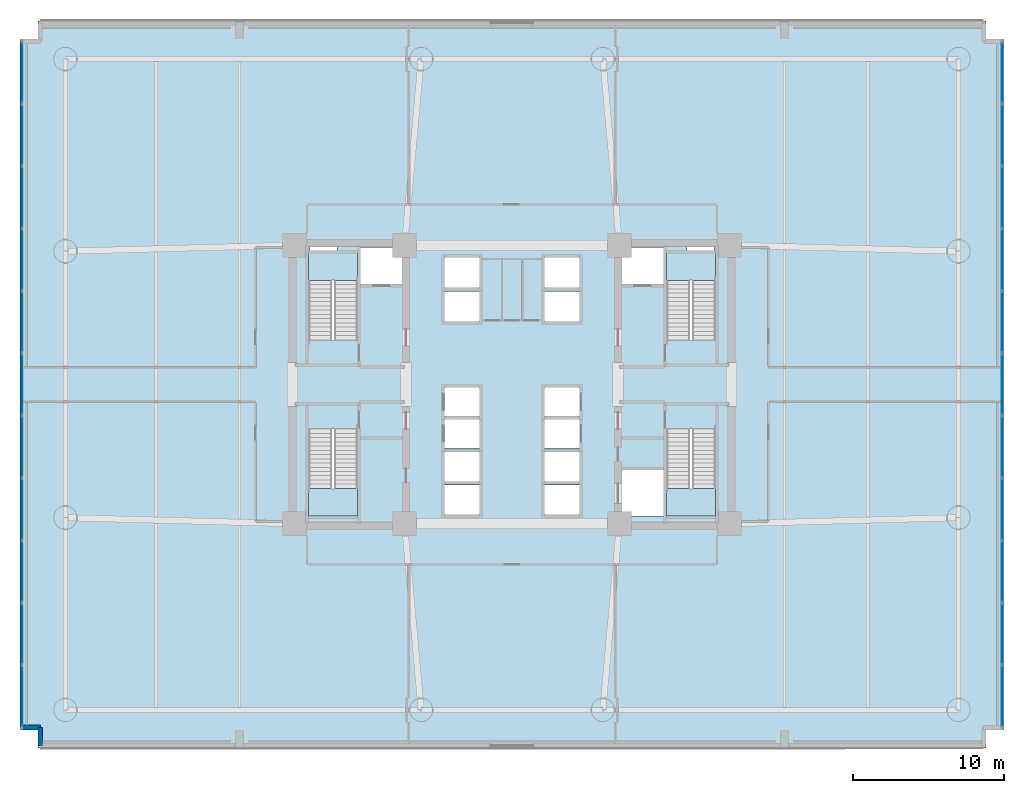
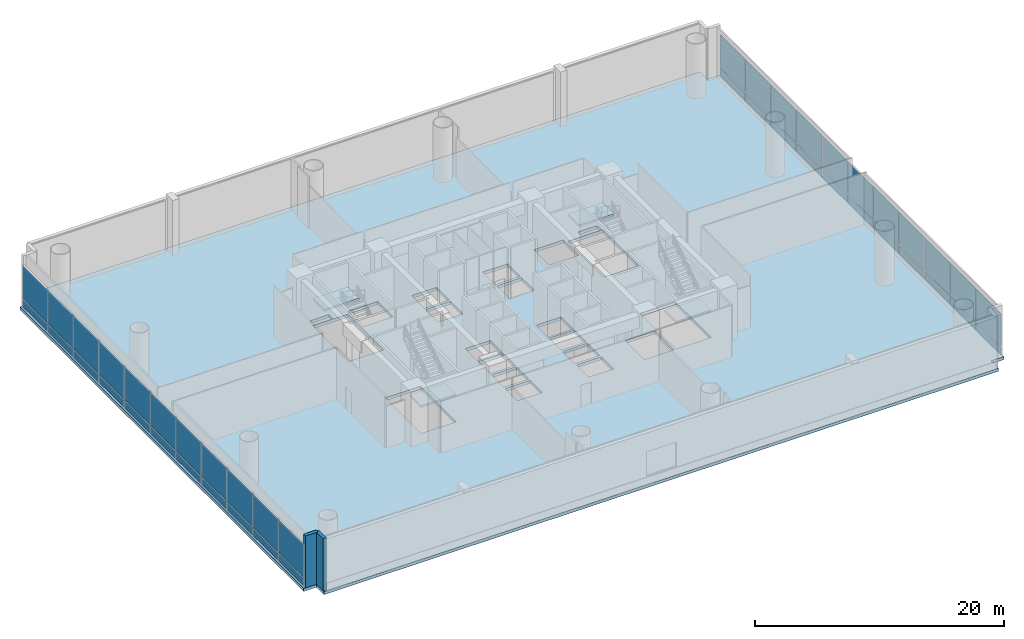
# One storey, part 6 of 15: 44 plates, 5 slabs, 2 walls, 6 elements without a shape of their own.
"""IFC4 building model written with IfcOpenShell, lengths in metres."""

from ifc_helpers import new_model, si_unit, direction, frame, frame_2d, origin, origin_2d, place, context, subcontext, project, spatial, polyline, rectangle, outline, extrude, source, transform, mapped, material, layer, layer_set, type_object, element, aggregate, save


model = new_model("IFC4")

# Units and contexts
model_context = context("Model", 3, precision=1e-05, world=origin(), true_north=direction((0.0, 1.0)))
body_context = subcontext(model_context, "Body", "Model", "MODEL_VIEW")
ifc_project = project(units=[si_unit("LENGTHUNIT", "METRE"), si_unit("AREAUNIT", "SQUARE_METRE"), si_unit("VOLUMEUNIT", "CUBIC_METRE"), si_unit("PLANEANGLEUNIT", "RADIAN"), si_unit("MASSUNIT", "GRAM", prefix="KILO")], contexts=[model_context])

# Site, building, storey
site_placement = place(None, origin())
site = spatial("IfcSite", under=ifc_project, at=site_placement, CompositionType="ELEMENT")
building_placement = place(site_placement, origin())
building = spatial("IfcBuilding", under=site, at=building_placement, Name="Zahravan Cultural Tower", CompositionType="ELEMENT")
storey_placement = place(building_placement, frame((0.0, 0.0, 7.199951171875)))
storey = spatial("IfcBuildingStorey", under=building, at=storey_placement, Name="L01", CompositionType="ELEMENT", Elevation=7.199951171875)

# Slab
ifc_material_1 = material(Name="Concrete C45/55", Category="concrete")
ifc_layer_1 = layer(ifc_material_1, 0.300048828125)
ifc_layer_set_1 = layer_set([ifc_layer_1], Name="Concrete C45/55")
slab_type_1 = type_object("IfcSlabType", Name="SL-POD-300", PredefinedType="FLOOR", material=ifc_layer_set_1)
slab_1_placement = place(storey_placement, frame((0.0, 0.0, -0.300048828125)))
element("IfcSlab", 1, at=slab_1_placement, inside=storey, type_object=slab_type_1, Name="L01 Structural Floor Slab", PredefinedType="FLOOR", context=body_context, shape_type="SweptSolid", body=[
    extrude(outline(polyline([(68.5, 49.800048828125), (67.300048828125, 49.800048828125), (67.300048828125, 51.0), (4.699951171875, 51.0), (4.699951171875, 49.800048828125), (3.5, 49.800048828125), (3.5, 4.199951171875), (4.699951171875, 4.199951171875), (4.699951171875, 3.0), (67.300048828125, 3.0), (67.300048828125, 4.199951171875), (68.5, 4.199951171875), (68.5, 49.800048828125)]), holes=[polyline([(22.550048828125, 29.949951171875), (22.550048828125, 35.699951171875), (25.800048828125, 35.699951171875), (25.800048828125, 29.949951171875), (22.550048828125, 29.949951171875)]), polyline([(22.550048828125, 18.300048828125), (22.550048828125, 24.050048828125), (25.800048828125, 24.050048828125), (25.800048828125, 18.300048828125), (22.550048828125, 18.300048828125)]), polyline([(46.199951171875, 29.949951171875), (46.199951171875, 35.699951171875), (49.449951171875, 35.699951171875), (49.449951171875, 29.949951171875), (46.199951171875, 29.949951171875)]), polyline([(46.199951171875, 18.300048828125), (46.199951171875, 24.050048828125), (49.449951171875, 24.050048828125), (49.449951171875, 18.300048828125), (46.199951171875, 18.300048828125)]), polyline([(26.0, 33.60009765625), (26.0, 36.050048828125), (28.75, 36.050048828125), (28.75, 33.60009765625), (26.0, 33.60009765625)]), polyline([(43.25, 33.60009765625), (43.25, 36.050048828125), (46.0, 36.050048828125), (46.0, 33.60009765625), (43.25, 33.60009765625)]), polyline([(43.25, 18.300048828125), (43.25, 21.35009765625), (46.0, 21.35009765625), (46.0, 18.300048828125), (43.25, 18.300048828125)]), polyline([(31.550048828125, 33.39990234375), (31.550048828125, 35.39990234375), (33.85009765625, 35.39990234375), (33.85009765625, 33.39990234375), (31.550048828125, 33.39990234375)]), polyline([(31.550048828125, 31.14990234375), (31.550048828125, 33.14990234375), (33.85009765625, 33.14990234375), (33.85009765625, 31.14990234375), (31.550048828125, 31.14990234375)]), polyline([(38.14990234375, 33.39990234375), (38.14990234375, 35.39990234375), (40.449951171875, 35.39990234375), (40.449951171875, 33.39990234375), (38.14990234375, 33.39990234375)]), polyline([(38.14990234375, 31.14990234375), (38.14990234375, 33.14990234375), (40.449951171875, 33.14990234375), (40.449951171875, 31.14990234375), (38.14990234375, 31.14990234375)]), polyline([(31.550048828125, 20.60009765625), (31.550048828125, 22.550048828125), (33.85009765625, 22.550048828125), (33.85009765625, 20.60009765625), (31.550048828125, 20.60009765625)]), polyline([(31.550048828125, 18.39990234375), (31.550048828125, 20.35009765625), (33.85009765625, 20.35009765625), (33.85009765625, 18.39990234375), (31.550048828125, 18.39990234375)]), polyline([(38.14990234375, 20.60009765625), (38.14990234375, 22.550048828125), (40.449951171875, 22.550048828125), (40.449951171875, 20.60009765625), (38.14990234375, 20.60009765625)]), polyline([(38.14990234375, 18.39990234375), (38.14990234375, 20.35009765625), (40.449951171875, 20.35009765625), (40.449951171875, 18.39990234375), (38.14990234375, 18.39990234375)]), polyline([(31.550048828125, 24.89990234375), (31.550048828125, 26.800048828125), (33.85009765625, 26.800048828125), (33.85009765625, 24.89990234375), (31.550048828125, 24.89990234375)]), polyline([(31.550048828125, 22.800048828125), (31.550048828125, 24.699951171875), (33.85009765625, 24.699951171875), (33.85009765625, 22.800048828125), (31.550048828125, 22.800048828125)]), polyline([(38.14990234375, 24.89990234375), (38.14990234375, 26.800048828125), (40.449951171875, 26.800048828125), (40.449951171875, 24.89990234375), (38.14990234375, 24.89990234375)]), polyline([(38.14990234375, 22.800048828125), (38.14990234375, 24.699951171875), (40.449951171875, 24.699951171875), (40.449951171875, 22.800048828125), (38.14990234375, 22.800048828125)]), polyline([(22.64990234375, 35.800048828125), (22.64990234375, 36.419921875), (24.449951171875, 36.419921875), (24.449951171875, 35.800048828125), (22.64990234375, 35.800048828125)]), polyline([(47.550048828125, 35.800048828125), (47.550048828125, 36.419921875), (49.35009765625, 36.419921875), (49.35009765625, 35.800048828125), (47.550048828125, 35.800048828125)])]), origin(), (0.0, 0.0, 1.0), 0.300048828125),
])

# Stair, slab
stair_type = type_object("IfcStairType", Name="STR-DL-1550-540", PredefinedType="HALF_TURN_STAIR", material=ifc_material_1)
stair_1_placement = place(storey_placement, origin())
stair_1 = element("IfcStair", 2, at=stair_1_placement, inside=storey, type_object=stair_type, Name="L01 West Core North Exit Stair ST-W1", PredefinedType="HALF_TURN_STAIR")
ifc_layer_2 = layer(ifc_material_1, 0.199951171875)
ifc_layer_set_2 = layer_set([ifc_layer_2], Name="Concrete C45/55")
slab_type_2 = type_object("IfcSlabType", Name="SL-STAIR-LND200", PredefinedType="LANDING", material=ifc_layer_set_2)
slab_2_placement = place(storey_placement, frame((0.0, 0.0, 2.5)))
slab_2 = element("IfcSlab", 3, at=slab_2_placement, type_object=slab_type_2, Name="ST-W1 landing 1", PredefinedType="LANDING", context=body_context, shape_type="SweptSolid", body=[
    extrude(outline(polyline([(25.800048828125, 33.8701171875), (25.800048828125, 35.699951171875), (22.550048828125, 35.699951171875), (22.550048828125, 33.8701171875), (25.800048828125, 33.8701171875)])), origin(), (0.0, 0.0, 1.0), 0.199951171875),
])
aggregate(stair_1, [slab_2])

stair_2_placement = place(storey_placement, origin())
stair_2 = element("IfcStair", 4, at=stair_2_placement, inside=storey, type_object=stair_type, Name="L01 West Core South Exit Stair ST-W2", PredefinedType="HALF_TURN_STAIR")
slab_3_placement = place(storey_placement, frame((0.0, 0.0, 2.5)))
slab_3 = element("IfcSlab", 5, at=slab_3_placement, type_object=slab_type_2, Name="ST-W2 landing 1", PredefinedType="LANDING", context=body_context, shape_type="SweptSolid", body=[
    extrude(outline(polyline([(22.550048828125, 20.1298828125), (22.550048828125, 18.300048828125), (25.800048828125, 18.300048828125), (25.800048828125, 20.1298828125), (22.550048828125, 20.1298828125)])), origin(), (0.0, 0.0, 1.0), 0.199951171875),
])
aggregate(stair_2, [slab_3])

stair_3_placement = place(storey_placement, origin())
stair_3 = element("IfcStair", 6, at=stair_3_placement, inside=storey, type_object=stair_type, Name="L01 East Core North Exit Stair ST-E1", PredefinedType="HALF_TURN_STAIR")
slab_4_placement = place(storey_placement, frame((0.0, 0.0, 2.5)))
slab_4 = element("IfcSlab", 7, at=slab_4_placement, type_object=slab_type_2, Name="ST-E1 landing 1", PredefinedType="LANDING", context=body_context, shape_type="SweptSolid", body=[
    extrude(outline(polyline([(49.449951171875, 33.8701171875), (49.449951171875, 35.699951171875), (46.199951171875, 35.699951171875), (46.199951171875, 33.8701171875), (49.449951171875, 33.8701171875)])), origin(), (0.0, 0.0, 1.0), 0.199951171875),
])
aggregate(stair_3, [slab_4])

stair_4_placement = place(storey_placement, origin())
stair_4 = element("IfcStair", 8, at=stair_4_placement, inside=storey, type_object=stair_type, Name="L01 East Core South Exit Stair ST-E2", PredefinedType="HALF_TURN_STAIR")
slab_5_placement = place(storey_placement, frame((0.0, 0.0, 2.5)))
slab_5 = element("IfcSlab", 9, at=slab_5_placement, type_object=slab_type_2, Name="ST-E2 landing 1", PredefinedType="LANDING", context=body_context, shape_type="SweptSolid", body=[
    extrude(outline(polyline([(46.199951171875, 20.1298828125), (46.199951171875, 18.300048828125), (49.449951171875, 18.300048828125), (49.449951171875, 20.1298828125), (46.199951171875, 20.1298828125)])), origin(), (0.0, 0.0, 1.0), 0.199951171875),
])
aggregate(stair_4, [slab_5])

# Curtain wall, plates
ifc_material_2 = material(Name="Anodised bronze-aluminium mullion", Category="aluminium")
ifc_layer_3 = layer(ifc_material_2, 0.239990234375)
ifc_layer_set_3 = layer_set([ifc_layer_3], Name="Anodised bronze-aluminium mullion")
curtain_wall_type = type_object("IfcCurtainWallType", Name="CW-SYS-5", PredefinedType="USERDEFINED", material=ifc_layer_set_3)
curtain_wall_1_placement = place(storey_placement, origin())
curtain_wall_1 = element("IfcCurtainWall", 10, at=curtain_wall_1_placement, inside=storey, type_object=curtain_wall_type, Name="L01 Recessed Curtain Wall CW-5.1", ObjectType="RECESSED GLAZING", PredefinedType="USERDEFINED")
ifc_material_3 = material(Name="Low-E solar-control double glazing", Category="glass")
ifc_layer_4 = layer(ifc_material_3, 0.035888671875)
ifc_layer_set_4 = layer_set([ifc_layer_4], Name="Low-E solar-control double glazing")
plate_type = type_object("IfcPlateType", Name="CWP-CW-5", PredefinedType="CURTAIN_PANEL", material=ifc_layer_set_4)
shared_shape_1 = source(origin(), body_context, "Body", "SweptSolid", [
    extrude(rectangle(XDim=3.992431640625, YDim=0.035888671875, at=origin_2d()), origin(), (0.0, 0.0, 1.0), 0.7724609375),
])
plate_1_placement = place(storey_placement, frame((68.360107421875, 47.578857421875, 0.0849609375), z_axis=(0.0, 0.0, 1.0), x_axis=(0.0, -1.0, 0.0)))
plate_1 = element("IfcPlate", 11, at=plate_1_placement, type_object=plate_type, Name="CW-5 panel 1.1", PredefinedType="CURTAIN_PANEL", context=body_context, shape_type="MappedRepresentation", body=[
    mapped(shared_shape_1, transform((0.0, 0.0, 0.0), x_axis=(1.0, 0.0, 0.0), y_axis=(0.0, 1.0, 0.0), z_axis=(0.0, 0.0, 1.0), scale=1.0)),
])
plate_2_placement = place(storey_placement, frame((68.360107421875, 6.421142578125, 0.0849609375), z_axis=(0.0, 0.0, 1.0), x_axis=(0.0, -1.0, 0.0)))
plate_2 = element("IfcPlate", 12, at=plate_2_placement, type_object=plate_type, Name="CW-5 panel 11.1", PredefinedType="CURTAIN_PANEL", context=body_context, shape_type="MappedRepresentation", body=[
    mapped(shared_shape_1, transform((0.0, 0.0, 0.0), x_axis=(1.0, 0.0, 0.0), y_axis=(0.0, 1.0, 0.0), z_axis=(0.0, 0.0, 1.0), scale=1.0)),
])

curtain_wall_2_placement = place(storey_placement, origin())
curtain_wall_2 = element("IfcCurtainWall", 13, at=curtain_wall_2_placement, inside=storey, type_object=curtain_wall_type, Name="L01 Recessed Curtain Wall CW-5.2", ObjectType="RECESSED GLAZING", PredefinedType="USERDEFINED")
plate_3_placement = place(storey_placement, frame((3.639892578125, 6.421142578125, 0.0849609375), z_axis=(0.0, 0.0, 1.0), x_axis=(0.0, 1.0, 0.0)))
plate_3 = element("IfcPlate", 14, at=plate_3_placement, type_object=plate_type, Name="CW-5 panel 1.1", PredefinedType="CURTAIN_PANEL", context=body_context, shape_type="MappedRepresentation", body=[
    mapped(shared_shape_1, transform((0.0, 0.0, 0.0), x_axis=(1.0, 0.0, 0.0), y_axis=(0.0, 1.0, 0.0), z_axis=(0.0, 0.0, 1.0), scale=1.0)),
])
plate_4_placement = place(storey_placement, frame((3.639892578125, 47.578857421875, 0.0849609375), z_axis=(0.0, 0.0, 1.0), x_axis=(0.0, 1.0, 0.0)))
plate_4 = element("IfcPlate", 15, at=plate_4_placement, type_object=plate_type, Name="CW-5 panel 11.1", PredefinedType="CURTAIN_PANEL", context=body_context, shape_type="MappedRepresentation", body=[
    mapped(shared_shape_1, transform((0.0, 0.0, 0.0), x_axis=(1.0, 0.0, 0.0), y_axis=(0.0, 1.0, 0.0), z_axis=(0.0, 0.0, 1.0), scale=1.0)),
])

# Plate
shared_shape_2 = source(origin(), body_context, "Body", "SweptSolid", [
    extrude(rectangle(XDim=3.992431640625, YDim=0.035888671875, at=origin_2d()), origin(), (0.0, 0.0, 1.0), 3.1923828125),
])
plate_5_placement = place(storey_placement, frame((68.360107421875, 47.578857421875, 0.942626953125), z_axis=(0.0, 0.0, 1.0), x_axis=(0.0, -1.0, 0.0)))
plate_5 = element("IfcPlate", 16, at=plate_5_placement, type_object=plate_type, Name="CW-5 panel 1.2", PredefinedType="CURTAIN_PANEL", context=body_context, shape_type="MappedRepresentation", body=[
    mapped(shared_shape_2, transform((0.0, 0.0, 0.0), x_axis=(1.0, 0.0, 0.0), y_axis=(0.0, 1.0, 0.0), z_axis=(0.0, 0.0, 1.0), scale=1.0)),
])

plate_6_placement = place(storey_placement, frame((68.360107421875, 6.421142578125, 0.942626953125), z_axis=(0.0, 0.0, 1.0), x_axis=(0.0, -1.0, 0.0)))
plate_6 = element("IfcPlate", 17, at=plate_6_placement, type_object=plate_type, Name="CW-5 panel 11.2", PredefinedType="CURTAIN_PANEL", context=body_context, shape_type="MappedRepresentation", body=[
    mapped(shared_shape_2, transform((0.0, 0.0, 0.0), x_axis=(1.0, 0.0, 0.0), y_axis=(0.0, 1.0, 0.0), z_axis=(0.0, 0.0, 1.0), scale=1.0)),
])

plate_7_placement = place(storey_placement, frame((3.639892578125, 6.421142578125, 0.942626953125), z_axis=(0.0, 0.0, 1.0), x_axis=(0.0, 1.0, 0.0)))
plate_7 = element("IfcPlate", 18, at=plate_7_placement, type_object=plate_type, Name="CW-5 panel 1.2", PredefinedType="CURTAIN_PANEL", context=body_context, shape_type="MappedRepresentation", body=[
    mapped(shared_shape_2, transform((0.0, 0.0, 0.0), x_axis=(1.0, 0.0, 0.0), y_axis=(0.0, 1.0, 0.0), z_axis=(0.0, 0.0, 1.0), scale=1.0)),
])

plate_8_placement = place(storey_placement, frame((3.639892578125, 47.578857421875, 0.942626953125), z_axis=(0.0, 0.0, 1.0), x_axis=(0.0, 1.0, 0.0)))
plate_8 = element("IfcPlate", 19, at=plate_8_placement, type_object=plate_type, Name="CW-5 panel 11.2", PredefinedType="CURTAIN_PANEL", context=body_context, shape_type="MappedRepresentation", body=[
    mapped(shared_shape_2, transform((0.0, 0.0, 0.0), x_axis=(1.0, 0.0, 0.0), y_axis=(0.0, 1.0, 0.0), z_axis=(0.0, 0.0, 1.0), scale=1.0)),
])

shared_shape_3 = source(origin(), body_context, "Body", "SweptSolid", [
    extrude(rectangle(XDim=4.034912109375, YDim=0.035888671875, at=origin_2d()), origin(), (0.0, 0.0, 1.0), 0.7724609375),
])
plate_9_placement = place(storey_placement, frame((68.360107421875, 43.47998046875, 0.0849609375), z_axis=(0.0, 0.0, 1.0), x_axis=(0.0, -1.0, 0.0)))
plate_9 = element("IfcPlate", 20, at=plate_9_placement, type_object=plate_type, Name="CW-5 panel 2.1", PredefinedType="CURTAIN_PANEL", context=body_context, shape_type="MappedRepresentation", body=[
    mapped(shared_shape_3, transform((0.0, 0.0, 0.0), x_axis=(1.0, 0.0, 0.0), y_axis=(0.0, 1.0, 0.0), z_axis=(0.0, 0.0, 1.0), scale=1.0)),
])

plate_10_placement = place(storey_placement, frame((68.360107421875, 39.360107421875, 0.0849609375), z_axis=(0.0, 0.0, 1.0), x_axis=(0.0, -1.0, 0.0)))
plate_10 = element("IfcPlate", 21, at=plate_10_placement, type_object=plate_type, Name="CW-5 panel 3.1", PredefinedType="CURTAIN_PANEL", context=body_context, shape_type="MappedRepresentation", body=[
    mapped(shared_shape_3, transform((0.0, 0.0, 0.0), x_axis=(1.0, 0.0, 0.0), y_axis=(0.0, 1.0, 0.0), z_axis=(0.0, 0.0, 1.0), scale=1.0)),
])

plate_11_placement = place(storey_placement, frame((68.360107421875, 35.239990234375, 0.0849609375), z_axis=(0.0, 0.0, 1.0), x_axis=(0.0, -1.0, 0.0)))
plate_11 = element("IfcPlate", 22, at=plate_11_placement, type_object=plate_type, Name="CW-5 panel 4.1", PredefinedType="CURTAIN_PANEL", context=body_context, shape_type="MappedRepresentation", body=[
    mapped(shared_shape_3, transform((0.0, 0.0, 0.0), x_axis=(1.0, 0.0, 0.0), y_axis=(0.0, 1.0, 0.0), z_axis=(0.0, 0.0, 1.0), scale=1.0)),
])

plate_12_placement = place(storey_placement, frame((68.360107421875, 31.1201171875, 0.0849609375), z_axis=(0.0, 0.0, 1.0), x_axis=(0.0, -1.0, 0.0)))
plate_12 = element("IfcPlate", 23, at=plate_12_placement, type_object=plate_type, Name="CW-5 panel 5.1", PredefinedType="CURTAIN_PANEL", context=body_context, shape_type="MappedRepresentation", body=[
    mapped(shared_shape_3, transform((0.0, 0.0, 0.0), x_axis=(1.0, 0.0, 0.0), y_axis=(0.0, 1.0, 0.0), z_axis=(0.0, 0.0, 1.0), scale=1.0)),
])

plate_13_placement = place(storey_placement, frame((68.360107421875, 27.0, 0.0849609375), z_axis=(0.0, 0.0, 1.0), x_axis=(0.0, -1.0, 0.0)))
plate_13 = element("IfcPlate", 24, at=plate_13_placement, type_object=plate_type, Name="CW-5 panel 6.1", PredefinedType="CURTAIN_PANEL", context=body_context, shape_type="MappedRepresentation", body=[
    mapped(shared_shape_3, transform((0.0, 0.0, 0.0), x_axis=(1.0, 0.0, 0.0), y_axis=(0.0, 1.0, 0.0), z_axis=(0.0, 0.0, 1.0), scale=1.0)),
])

plate_14_placement = place(storey_placement, frame((68.360107421875, 22.8798828125, 0.0849609375), z_axis=(0.0, 0.0, 1.0), x_axis=(0.0, -1.0, 0.0)))
plate_14 = element("IfcPlate", 25, at=plate_14_placement, type_object=plate_type, Name="CW-5 panel 7.1", PredefinedType="CURTAIN_PANEL", context=body_context, shape_type="MappedRepresentation", body=[
    mapped(shared_shape_3, transform((0.0, 0.0, 0.0), x_axis=(1.0, 0.0, 0.0), y_axis=(0.0, 1.0, 0.0), z_axis=(0.0, 0.0, 1.0), scale=1.0)),
])

plate_15_placement = place(storey_placement, frame((68.360107421875, 18.760009765625, 0.0849609375), z_axis=(0.0, 0.0, 1.0), x_axis=(0.0, -1.0, 0.0)))
plate_15 = element("IfcPlate", 26, at=plate_15_placement, type_object=plate_type, Name="CW-5 panel 8.1", PredefinedType="CURTAIN_PANEL", context=body_context, shape_type="MappedRepresentation", body=[
    mapped(shared_shape_3, transform((0.0, 0.0, 0.0), x_axis=(1.0, 0.0, 0.0), y_axis=(0.0, 1.0, 0.0), z_axis=(0.0, 0.0, 1.0), scale=1.0)),
])

plate_16_placement = place(storey_placement, frame((68.360107421875, 14.639892578125, 0.0849609375), z_axis=(0.0, 0.0, 1.0), x_axis=(0.0, -1.0, 0.0)))
plate_16 = element("IfcPlate", 27, at=plate_16_placement, type_object=plate_type, Name="CW-5 panel 9.1", PredefinedType="CURTAIN_PANEL", context=body_context, shape_type="MappedRepresentation", body=[
    mapped(shared_shape_3, transform((0.0, 0.0, 0.0), x_axis=(1.0, 0.0, 0.0), y_axis=(0.0, 1.0, 0.0), z_axis=(0.0, 0.0, 1.0), scale=1.0)),
])

plate_17_placement = place(storey_placement, frame((68.360107421875, 10.52001953125, 0.0849609375), z_axis=(0.0, 0.0, 1.0), x_axis=(0.0, -1.0, 0.0)))
plate_17 = element("IfcPlate", 28, at=plate_17_placement, type_object=plate_type, Name="CW-5 panel 10.1", PredefinedType="CURTAIN_PANEL", context=body_context, shape_type="MappedRepresentation", body=[
    mapped(shared_shape_3, transform((0.0, 0.0, 0.0), x_axis=(1.0, 0.0, 0.0), y_axis=(0.0, 1.0, 0.0), z_axis=(0.0, 0.0, 1.0), scale=1.0)),
])

plate_18_placement = place(storey_placement, frame((3.639892578125, 10.52001953125, 0.0849609375), z_axis=(0.0, 0.0, 1.0), x_axis=(0.0, 1.0, 0.0)))
plate_18 = element("IfcPlate", 29, at=plate_18_placement, type_object=plate_type, Name="CW-5 panel 2.1", PredefinedType="CURTAIN_PANEL", context=body_context, shape_type="MappedRepresentation", body=[
    mapped(shared_shape_3, transform((0.0, 0.0, 0.0), x_axis=(1.0, 0.0, 0.0), y_axis=(0.0, 1.0, 0.0), z_axis=(0.0, 0.0, 1.0), scale=1.0)),
])

plate_19_placement = place(storey_placement, frame((3.639892578125, 14.639892578125, 0.0849609375), z_axis=(0.0, 0.0, 1.0), x_axis=(0.0, 1.0, 0.0)))
plate_19 = element("IfcPlate", 30, at=plate_19_placement, type_object=plate_type, Name="CW-5 panel 3.1", PredefinedType="CURTAIN_PANEL", context=body_context, shape_type="MappedRepresentation", body=[
    mapped(shared_shape_3, transform((0.0, 0.0, 0.0), x_axis=(1.0, 0.0, 0.0), y_axis=(0.0, 1.0, 0.0), z_axis=(0.0, 0.0, 1.0), scale=1.0)),
])

plate_20_placement = place(storey_placement, frame((3.639892578125, 18.760009765625, 0.0849609375), z_axis=(0.0, 0.0, 1.0), x_axis=(0.0, 1.0, 0.0)))
plate_20 = element("IfcPlate", 31, at=plate_20_placement, type_object=plate_type, Name="CW-5 panel 4.1", PredefinedType="CURTAIN_PANEL", context=body_context, shape_type="MappedRepresentation", body=[
    mapped(shared_shape_3, transform((0.0, 0.0, 0.0), x_axis=(1.0, 0.0, 0.0), y_axis=(0.0, 1.0, 0.0), z_axis=(0.0, 0.0, 1.0), scale=1.0)),
])

plate_21_placement = place(storey_placement, frame((3.639892578125, 22.8798828125, 0.0849609375), z_axis=(0.0, 0.0, 1.0), x_axis=(0.0, 1.0, 0.0)))
plate_21 = element("IfcPlate", 32, at=plate_21_placement, type_object=plate_type, Name="CW-5 panel 5.1", PredefinedType="CURTAIN_PANEL", context=body_context, shape_type="MappedRepresentation", body=[
    mapped(shared_shape_3, transform((0.0, 0.0, 0.0), x_axis=(1.0, 0.0, 0.0), y_axis=(0.0, 1.0, 0.0), z_axis=(0.0, 0.0, 1.0), scale=1.0)),
])

plate_22_placement = place(storey_placement, frame((3.639892578125, 27.0, 0.0849609375), z_axis=(0.0, 0.0, 1.0), x_axis=(0.0, 1.0, 0.0)))
plate_22 = element("IfcPlate", 33, at=plate_22_placement, type_object=plate_type, Name="CW-5 panel 6.1", PredefinedType="CURTAIN_PANEL", context=body_context, shape_type="MappedRepresentation", body=[
    mapped(shared_shape_3, transform((0.0, 0.0, 0.0), x_axis=(1.0, 0.0, 0.0), y_axis=(0.0, 1.0, 0.0), z_axis=(0.0, 0.0, 1.0), scale=1.0)),
])

plate_23_placement = place(storey_placement, frame((3.639892578125, 31.1201171875, 0.0849609375), z_axis=(0.0, 0.0, 1.0), x_axis=(0.0, 1.0, 0.0)))
plate_23 = element("IfcPlate", 34, at=plate_23_placement, type_object=plate_type, Name="CW-5 panel 7.1", PredefinedType="CURTAIN_PANEL", context=body_context, shape_type="MappedRepresentation", body=[
    mapped(shared_shape_3, transform((0.0, 0.0, 0.0), x_axis=(1.0, 0.0, 0.0), y_axis=(0.0, 1.0, 0.0), z_axis=(0.0, 0.0, 1.0), scale=1.0)),
])

plate_24_placement = place(storey_placement, frame((3.639892578125, 35.239990234375, 0.0849609375), z_axis=(0.0, 0.0, 1.0), x_axis=(0.0, 1.0, 0.0)))
plate_24 = element("IfcPlate", 35, at=plate_24_placement, type_object=plate_type, Name="CW-5 panel 8.1", PredefinedType="CURTAIN_PANEL", context=body_context, shape_type="MappedRepresentation", body=[
    mapped(shared_shape_3, transform((0.0, 0.0, 0.0), x_axis=(1.0, 0.0, 0.0), y_axis=(0.0, 1.0, 0.0), z_axis=(0.0, 0.0, 1.0), scale=1.0)),
])

plate_25_placement = place(storey_placement, frame((3.639892578125, 39.360107421875, 0.0849609375), z_axis=(0.0, 0.0, 1.0), x_axis=(0.0, 1.0, 0.0)))
plate_25 = element("IfcPlate", 36, at=plate_25_placement, type_object=plate_type, Name="CW-5 panel 9.1", PredefinedType="CURTAIN_PANEL", context=body_context, shape_type="MappedRepresentation", body=[
    mapped(shared_shape_3, transform((0.0, 0.0, 0.0), x_axis=(1.0, 0.0, 0.0), y_axis=(0.0, 1.0, 0.0), z_axis=(0.0, 0.0, 1.0), scale=1.0)),
])

plate_26_placement = place(storey_placement, frame((3.639892578125, 43.47998046875, 0.0849609375), z_axis=(0.0, 0.0, 1.0), x_axis=(0.0, 1.0, 0.0)))
plate_26 = element("IfcPlate", 37, at=plate_26_placement, type_object=plate_type, Name="CW-5 panel 10.1", PredefinedType="CURTAIN_PANEL", context=body_context, shape_type="MappedRepresentation", body=[
    mapped(shared_shape_3, transform((0.0, 0.0, 0.0), x_axis=(1.0, 0.0, 0.0), y_axis=(0.0, 1.0, 0.0), z_axis=(0.0, 0.0, 1.0), scale=1.0)),
])

shared_shape_4 = source(origin(), body_context, "Body", "SweptSolid", [
    extrude(rectangle(XDim=4.034912109375, YDim=0.035888671875, at=origin_2d()), origin(), (0.0, 0.0, 1.0), 3.1923828125),
])
plate_27_placement = place(storey_placement, frame((68.360107421875, 43.47998046875, 0.942626953125), z_axis=(0.0, 0.0, 1.0), x_axis=(0.0, -1.0, 0.0)))
plate_27 = element("IfcPlate", 38, at=plate_27_placement, type_object=plate_type, Name="CW-5 panel 2.2", PredefinedType="CURTAIN_PANEL", context=body_context, shape_type="MappedRepresentation", body=[
    mapped(shared_shape_4, transform((0.0, 0.0, 0.0), x_axis=(1.0, 0.0, 0.0), y_axis=(0.0, 1.0, 0.0), z_axis=(0.0, 0.0, 1.0), scale=1.0)),
])

plate_28_placement = place(storey_placement, frame((68.360107421875, 39.360107421875, 0.942626953125), z_axis=(0.0, 0.0, 1.0), x_axis=(0.0, -1.0, 0.0)))
plate_28 = element("IfcPlate", 39, at=plate_28_placement, type_object=plate_type, Name="CW-5 panel 3.2", PredefinedType="CURTAIN_PANEL", context=body_context, shape_type="MappedRepresentation", body=[
    mapped(shared_shape_4, transform((0.0, 0.0, 0.0), x_axis=(1.0, 0.0, 0.0), y_axis=(0.0, 1.0, 0.0), z_axis=(0.0, 0.0, 1.0), scale=1.0)),
])

plate_29_placement = place(storey_placement, frame((68.360107421875, 35.239990234375, 0.942626953125), z_axis=(0.0, 0.0, 1.0), x_axis=(0.0, -1.0, 0.0)))
plate_29 = element("IfcPlate", 40, at=plate_29_placement, type_object=plate_type, Name="CW-5 panel 4.2", PredefinedType="CURTAIN_PANEL", context=body_context, shape_type="MappedRepresentation", body=[
    mapped(shared_shape_4, transform((0.0, 0.0, 0.0), x_axis=(1.0, 0.0, 0.0), y_axis=(0.0, 1.0, 0.0), z_axis=(0.0, 0.0, 1.0), scale=1.0)),
])

plate_30_placement = place(storey_placement, frame((68.360107421875, 31.1201171875, 0.942626953125), z_axis=(0.0, 0.0, 1.0), x_axis=(0.0, -1.0, 0.0)))
plate_30 = element("IfcPlate", 41, at=plate_30_placement, type_object=plate_type, Name="CW-5 panel 5.2", PredefinedType="CURTAIN_PANEL", context=body_context, shape_type="MappedRepresentation", body=[
    mapped(shared_shape_4, transform((0.0, 0.0, 0.0), x_axis=(1.0, 0.0, 0.0), y_axis=(0.0, 1.0, 0.0), z_axis=(0.0, 0.0, 1.0), scale=1.0)),
])

plate_31_placement = place(storey_placement, frame((68.360107421875, 27.0, 0.942626953125), z_axis=(0.0, 0.0, 1.0), x_axis=(0.0, -1.0, 0.0)))
plate_31 = element("IfcPlate", 42, at=plate_31_placement, type_object=plate_type, Name="CW-5 panel 6.2", PredefinedType="CURTAIN_PANEL", context=body_context, shape_type="MappedRepresentation", body=[
    mapped(shared_shape_4, transform((0.0, 0.0, 0.0), x_axis=(1.0, 0.0, 0.0), y_axis=(0.0, 1.0, 0.0), z_axis=(0.0, 0.0, 1.0), scale=1.0)),
])

plate_32_placement = place(storey_placement, frame((68.360107421875, 22.8798828125, 0.942626953125), z_axis=(0.0, 0.0, 1.0), x_axis=(0.0, -1.0, 0.0)))
plate_32 = element("IfcPlate", 43, at=plate_32_placement, type_object=plate_type, Name="CW-5 panel 7.2", PredefinedType="CURTAIN_PANEL", context=body_context, shape_type="MappedRepresentation", body=[
    mapped(shared_shape_4, transform((0.0, 0.0, 0.0), x_axis=(1.0, 0.0, 0.0), y_axis=(0.0, 1.0, 0.0), z_axis=(0.0, 0.0, 1.0), scale=1.0)),
])

plate_33_placement = place(storey_placement, frame((68.360107421875, 18.760009765625, 0.942626953125), z_axis=(0.0, 0.0, 1.0), x_axis=(0.0, -1.0, 0.0)))
plate_33 = element("IfcPlate", 44, at=plate_33_placement, type_object=plate_type, Name="CW-5 panel 8.2", PredefinedType="CURTAIN_PANEL", context=body_context, shape_type="MappedRepresentation", body=[
    mapped(shared_shape_4, transform((0.0, 0.0, 0.0), x_axis=(1.0, 0.0, 0.0), y_axis=(0.0, 1.0, 0.0), z_axis=(0.0, 0.0, 1.0), scale=1.0)),
])

plate_34_placement = place(storey_placement, frame((68.360107421875, 14.639892578125, 0.942626953125), z_axis=(0.0, 0.0, 1.0), x_axis=(0.0, -1.0, 0.0)))
plate_34 = element("IfcPlate", 45, at=plate_34_placement, type_object=plate_type, Name="CW-5 panel 9.2", PredefinedType="CURTAIN_PANEL", context=body_context, shape_type="MappedRepresentation", body=[
    mapped(shared_shape_4, transform((0.0, 0.0, 0.0), x_axis=(1.0, 0.0, 0.0), y_axis=(0.0, 1.0, 0.0), z_axis=(0.0, 0.0, 1.0), scale=1.0)),
])

plate_35_placement = place(storey_placement, frame((68.360107421875, 10.52001953125, 0.942626953125), z_axis=(0.0, 0.0, 1.0), x_axis=(0.0, -1.0, 0.0)))
plate_35 = element("IfcPlate", 46, at=plate_35_placement, type_object=plate_type, Name="CW-5 panel 10.2", PredefinedType="CURTAIN_PANEL", context=body_context, shape_type="MappedRepresentation", body=[
    mapped(shared_shape_4, transform((0.0, 0.0, 0.0), x_axis=(1.0, 0.0, 0.0), y_axis=(0.0, 1.0, 0.0), z_axis=(0.0, 0.0, 1.0), scale=1.0)),
])

aggregate(curtain_wall_1, [plate_1, plate_5, plate_9, plate_27, plate_10, plate_28, plate_11, plate_29, plate_12, plate_30, plate_13, plate_31, plate_14, plate_32, plate_15, plate_33, plate_16, plate_34, plate_17, plate_35, plate_2, plate_6])

plate_36_placement = place(storey_placement, frame((3.639892578125, 10.52001953125, 0.942626953125), z_axis=(0.0, 0.0, 1.0), x_axis=(0.0, 1.0, 0.0)))
plate_36 = element("IfcPlate", 47, at=plate_36_placement, type_object=plate_type, Name="CW-5 panel 2.2", PredefinedType="CURTAIN_PANEL", context=body_context, shape_type="MappedRepresentation", body=[
    mapped(shared_shape_4, transform((0.0, 0.0, 0.0), x_axis=(1.0, 0.0, 0.0), y_axis=(0.0, 1.0, 0.0), z_axis=(0.0, 0.0, 1.0), scale=1.0)),
])

plate_37_placement = place(storey_placement, frame((3.639892578125, 14.639892578125, 0.942626953125), z_axis=(0.0, 0.0, 1.0), x_axis=(0.0, 1.0, 0.0)))
plate_37 = element("IfcPlate", 48, at=plate_37_placement, type_object=plate_type, Name="CW-5 panel 3.2", PredefinedType="CURTAIN_PANEL", context=body_context, shape_type="MappedRepresentation", body=[
    mapped(shared_shape_4, transform((0.0, 0.0, 0.0), x_axis=(1.0, 0.0, 0.0), y_axis=(0.0, 1.0, 0.0), z_axis=(0.0, 0.0, 1.0), scale=1.0)),
])

plate_38_placement = place(storey_placement, frame((3.639892578125, 18.760009765625, 0.942626953125), z_axis=(0.0, 0.0, 1.0), x_axis=(0.0, 1.0, 0.0)))
plate_38 = element("IfcPlate", 49, at=plate_38_placement, type_object=plate_type, Name="CW-5 panel 4.2", PredefinedType="CURTAIN_PANEL", context=body_context, shape_type="MappedRepresentation", body=[
    mapped(shared_shape_4, transform((0.0, 0.0, 0.0), x_axis=(1.0, 0.0, 0.0), y_axis=(0.0, 1.0, 0.0), z_axis=(0.0, 0.0, 1.0), scale=1.0)),
])

plate_39_placement = place(storey_placement, frame((3.639892578125, 22.8798828125, 0.942626953125), z_axis=(0.0, 0.0, 1.0), x_axis=(0.0, 1.0, 0.0)))
plate_39 = element("IfcPlate", 50, at=plate_39_placement, type_object=plate_type, Name="CW-5 panel 5.2", PredefinedType="CURTAIN_PANEL", context=body_context, shape_type="MappedRepresentation", body=[
    mapped(shared_shape_4, transform((0.0, 0.0, 0.0), x_axis=(1.0, 0.0, 0.0), y_axis=(0.0, 1.0, 0.0), z_axis=(0.0, 0.0, 1.0), scale=1.0)),
])

plate_40_placement = place(storey_placement, frame((3.639892578125, 27.0, 0.942626953125), z_axis=(0.0, 0.0, 1.0), x_axis=(0.0, 1.0, 0.0)))
plate_40 = element("IfcPlate", 51, at=plate_40_placement, type_object=plate_type, Name="CW-5 panel 6.2", PredefinedType="CURTAIN_PANEL", context=body_context, shape_type="MappedRepresentation", body=[
    mapped(shared_shape_4, transform((0.0, 0.0, 0.0), x_axis=(1.0, 0.0, 0.0), y_axis=(0.0, 1.0, 0.0), z_axis=(0.0, 0.0, 1.0), scale=1.0)),
])

plate_41_placement = place(storey_placement, frame((3.639892578125, 31.1201171875, 0.942626953125), z_axis=(0.0, 0.0, 1.0), x_axis=(0.0, 1.0, 0.0)))
plate_41 = element("IfcPlate", 52, at=plate_41_placement, type_object=plate_type, Name="CW-5 panel 7.2", PredefinedType="CURTAIN_PANEL", context=body_context, shape_type="MappedRepresentation", body=[
    mapped(shared_shape_4, transform((0.0, 0.0, 0.0), x_axis=(1.0, 0.0, 0.0), y_axis=(0.0, 1.0, 0.0), z_axis=(0.0, 0.0, 1.0), scale=1.0)),
])

plate_42_placement = place(storey_placement, frame((3.639892578125, 35.239990234375, 0.942626953125), z_axis=(0.0, 0.0, 1.0), x_axis=(0.0, 1.0, 0.0)))
plate_42 = element("IfcPlate", 53, at=plate_42_placement, type_object=plate_type, Name="CW-5 panel 8.2", PredefinedType="CURTAIN_PANEL", context=body_context, shape_type="MappedRepresentation", body=[
    mapped(shared_shape_4, transform((0.0, 0.0, 0.0), x_axis=(1.0, 0.0, 0.0), y_axis=(0.0, 1.0, 0.0), z_axis=(0.0, 0.0, 1.0), scale=1.0)),
])

plate_43_placement = place(storey_placement, frame((3.639892578125, 39.360107421875, 0.942626953125), z_axis=(0.0, 0.0, 1.0), x_axis=(0.0, 1.0, 0.0)))
plate_43 = element("IfcPlate", 54, at=plate_43_placement, type_object=plate_type, Name="CW-5 panel 9.2", PredefinedType="CURTAIN_PANEL", context=body_context, shape_type="MappedRepresentation", body=[
    mapped(shared_shape_4, transform((0.0, 0.0, 0.0), x_axis=(1.0, 0.0, 0.0), y_axis=(0.0, 1.0, 0.0), z_axis=(0.0, 0.0, 1.0), scale=1.0)),
])

plate_44_placement = place(storey_placement, frame((3.639892578125, 43.47998046875, 0.942626953125), z_axis=(0.0, 0.0, 1.0), x_axis=(0.0, 1.0, 0.0)))
plate_44 = element("IfcPlate", 55, at=plate_44_placement, type_object=plate_type, Name="CW-5 panel 10.2", PredefinedType="CURTAIN_PANEL", context=body_context, shape_type="MappedRepresentation", body=[
    mapped(shared_shape_4, transform((0.0, 0.0, 0.0), x_axis=(1.0, 0.0, 0.0), y_axis=(0.0, 1.0, 0.0), z_axis=(0.0, 0.0, 1.0), scale=1.0)),
])

aggregate(curtain_wall_2, [plate_3, plate_7, plate_18, plate_36, plate_19, plate_37, plate_20, plate_38, plate_21, plate_39, plate_22, plate_40, plate_23, plate_41, plate_24, plate_42, plate_25, plate_43, plate_26, plate_44, plate_4, plate_8])

# Walls
ifc_material_4 = material(Name="Precast concrete C40/50", Category="concrete")
ifc_layer_5 = layer(ifc_material_4, 0.320068359375)
ifc_layer_set_5 = layer_set([ifc_layer_5], Name="Precast concrete C40/50")
wall_type = type_object("IfcWallType", Name="EW-TC-320", PredefinedType="SOLIDWALL", material=ifc_layer_set_5)
shared_shape_5 = source(origin(), body_context, "Body", "SweptSolid", [
    extrude(rectangle(XDim=1.2001953125, YDim=0.320068359375, at=frame_2d((0.60009765625, 0.0))), origin(), (0.0, 0.0, 1.0), 5.10009765625),
])
for number, where, z_axis, x_axis, name in (
    (56, (4.840087890625, 3.139892578125, 0.0), (0.0, 0.0, 1.0), (0.0, 1.0, 0.0), "L01 Exterior Masonry Frame Wall 04"),
    (57, (4.840087890625, 4.340087890625, 0.0), (0.0, 0.0, 1.0), (-1.0, 0.0, 0.0), "L01 Exterior Masonry Frame Wall 05"),
):
    element("IfcWall", number, at=place(storey_placement, frame(where, z_axis=z_axis, x_axis=x_axis)), inside=storey, type_object=wall_type, Name=name, PredefinedType="SOLIDWALL", context=body_context, shape_type="MappedRepresentation", body=[
        mapped(shared_shape_5, transform((0.0, 0.0, 0.0), x_axis=(1.0, 0.0, 0.0), y_axis=(0.0, 1.0, 0.0), z_axis=(0.0, 0.0, 1.0), scale=1.0)),
    ])

save(model, "model.ifc")
